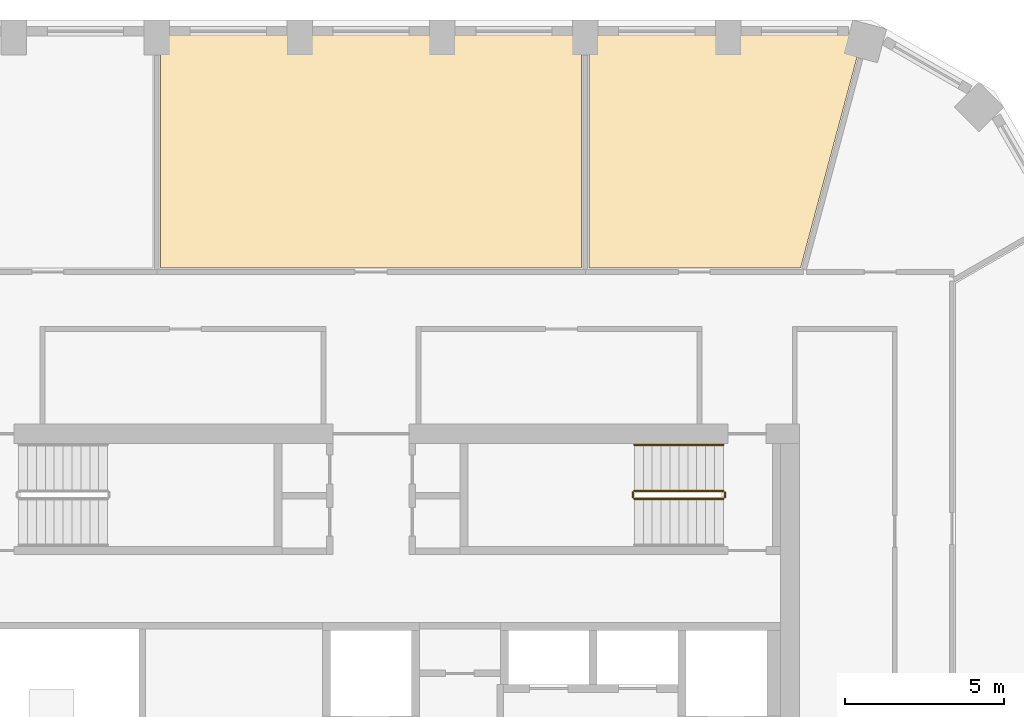
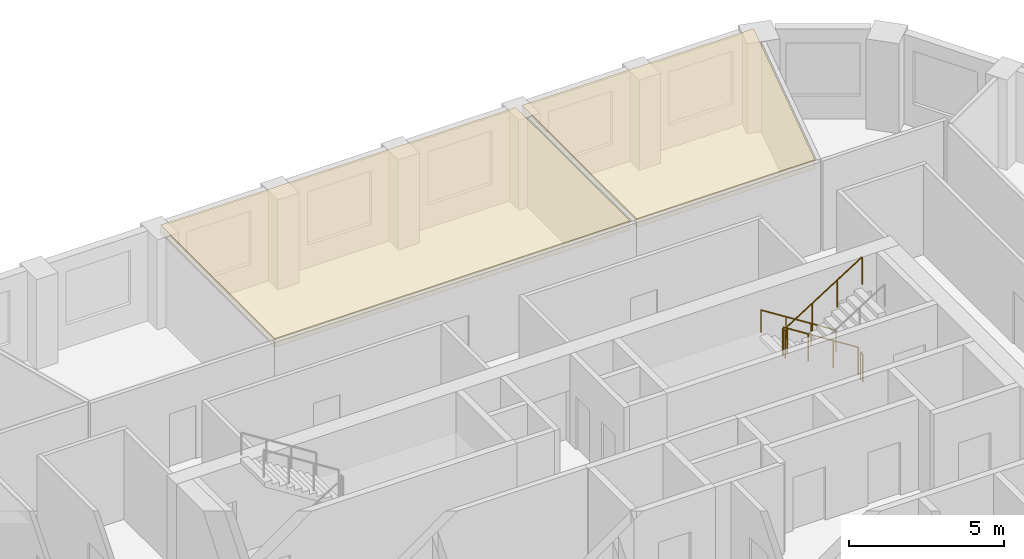
# One storey, part 12 of 13: 5 railings, 2 coverings.
"""IFC4 building model written with IfcOpenShell, lengths in metres."""

from ifc_helpers import new_model, si_unit, direction, frame, origin, origin_2d, place, context, subcontext, project, spatial, polyline, circle, outline, extrude, material, layer, layer_set, type_object, element, save


model = new_model("IFC4")

# Units and contexts
model_context = context("Model", 3, precision=1e-05, world=origin(), true_north=direction((0.0, 1.0)))
body_context = subcontext(model_context, "Body", "Model", "MODEL_VIEW")
ifc_project = project(units=[si_unit("LENGTHUNIT", "METRE"), si_unit("AREAUNIT", "SQUARE_METRE"), si_unit("VOLUMEUNIT", "CUBIC_METRE"), si_unit("PLANEANGLEUNIT", "RADIAN"), si_unit("MASSUNIT", "GRAM", prefix="KILO")], contexts=[model_context])

# Site, building, storey
site_placement = place(None, origin())
site = spatial("IfcSite", under=ifc_project, at=site_placement, CompositionType="ELEMENT")
building_placement = place(site_placement, origin())
building = spatial("IfcBuilding", under=site, at=building_placement, Name="Dhurran Vertical Campus", CompositionType="ELEMENT")
storey_placement = place(building_placement, frame((0.0, 0.0, 191.699951171875)))
storey = spatial("IfcBuildingStorey", under=building, at=storey_placement, Name="L47", CompositionType="ELEMENT", Elevation=191.699951171875)

# Railings
ifc_material_1 = material(Name="Stainless steel balustrade", Category="steel")
railing_type_1 = type_object("IfcRailingType", Name="co-RL-GUARD-1100", PredefinedType="GUARDRAIL", material=ifc_material_1)
railing_1_placement = place(storey_placement, frame((11.10009765625, 9.14990234375, 0.17724609375)))
element("IfcRailing", 1, at=railing_1_placement, inside=storey, type_object=railing_type_1, Name="L47 ST2 stair guard 1", PredefinedType="GUARDRAIL", context=body_context, shape_type="SweptSolid", body=[
    extrude(circle(Radius=0.02392578125, at=origin_2d()), frame((0.0, 0.0, 1.076171875), z_axis=(-0.844908973607, 0.0, 0.534910110503), x_axis=(0.0, -1.0, 0.0)), (0.0, 0.0, 1.0), 3.31396484375),
    extrude(circle(Radius=0.02099609375, at=origin_2d()), origin(), (0.0, 0.0, 1.0), 1.052001953125),
    extrude(circle(Radius=0.02099609375, at=origin_2d()), frame((-0.933349609375, 0.0, 0.5908203125)), (0.0, 0.0, 1.0), 1.052001953125),
    extrude(circle(Radius=0.02099609375, at=origin_2d()), frame((-1.86669921875, 0.0, 1.181884765625)), (0.0, 0.0, 1.0), 1.052001953125),
    extrude(circle(Radius=0.02099609375, at=origin_2d()), frame((-2.800048828125, 0.0, 1.772705078125)), (0.0, 0.0, 1.0), 1.052001953125),
])
railing_2_placement = place(storey_placement, frame((8.25, 9.10009765625, 1.949951171875)))
element("IfcRailing", 2, at=railing_2_placement, inside=storey, type_object=railing_type_1, Name="L47 ST2 stair guard 2", PredefinedType="GUARDRAIL", context=body_context, shape_type="SweptSolid", body=[
    extrude(circle(Radius=0.02392578125, at=origin_2d()), frame((0.0, 0.0, 1.076171875), z_axis=(0.0, -1.0, 0.0), x_axis=(1.0, 0.0, 0.0)), (0.0, 0.0, 1.0), 0.150146484375),
    extrude(circle(Radius=0.02099609375, at=origin_2d()), origin(), (0.0, 0.0, 1.0), 1.052001953125),
    extrude(circle(Radius=0.02099609375, at=origin_2d()), frame((0.0, -0.150146484375, 0.0)), (0.0, 0.0, 1.0), 1.052001953125),
])
railing_3_placement = place(storey_placement, frame((8.300048828125, 8.89990234375, 2.12744140625)))
element("IfcRailing", 3, at=railing_3_placement, inside=storey, type_object=railing_type_1, Name="L47 ST2 stair guard 3", PredefinedType="GUARDRAIL", context=body_context, shape_type="SweptSolid", body=[
    extrude(circle(Radius=0.02392578125, at=origin_2d()), frame((0.0, 0.0, 1.076171875), z_axis=(0.844908973607, 0.0, 0.534910110503), x_axis=(0.0, 1.0, 0.0)), (0.0, 0.0, 1.0), 3.31396484375),
    extrude(circle(Radius=0.02099609375, at=origin_2d()), origin(), (0.0, 0.0, 1.0), 1.052001953125),
    extrude(circle(Radius=0.02099609375, at=origin_2d()), frame((0.933349609375, 0.0, 0.5908203125)), (0.0, 0.0, 1.0), 1.052001953125),
    extrude(circle(Radius=0.02099609375, at=origin_2d()), frame((1.86669921875, 0.0, 1.181884765625)), (0.0, 0.0, 1.0), 1.052001953125),
    extrude(circle(Radius=0.02099609375, at=origin_2d()), frame((2.800048828125, 0.0, 1.772705078125)), (0.0, 0.0, 1.0), 1.052001953125),
])
railing_4_placement = place(storey_placement, frame((11.14990234375, 9.10009765625, 0.0)))
element("IfcRailing", 4, at=railing_4_placement, inside=storey, type_object=railing_type_1, Name="L47 ST2 stair guard 4", PredefinedType="GUARDRAIL", context=body_context, shape_type="SweptSolid", body=[
    extrude(circle(Radius=0.02392578125, at=origin_2d()), frame((0.0, 0.0, 1.076171875), z_axis=(0.0, -1.0, 0.0), x_axis=(1.0, 0.0, 0.0)), (0.0, 0.0, 1.0), 0.150146484375),
    extrude(circle(Radius=0.02099609375, at=origin_2d()), origin(), (0.0, 0.0, 1.0), 1.052001953125),
    extrude(circle(Radius=0.02099609375, at=origin_2d()), frame((0.0, -0.150146484375, 0.0)), (0.0, 0.0, 1.0), 1.052001953125),
])
ifc_material_2 = material(Name="Stainless steel handrail", Category="steel")
railing_type_2 = type_object("IfcRailingType", Name="co-RL-HANDRAIL-900", PredefinedType="HANDRAIL", material=ifc_material_2)
railing_5_placement = place(storey_placement, frame((11.10009765625, 10.60009765625, 0.17724609375)))
element("IfcRailing", 5, at=railing_5_placement, inside=storey, type_object=railing_type_2, Name="L47 ST2 stair handrail 1", PredefinedType="HANDRAIL", context=body_context, shape_type="SweptSolid", body=[
    extrude(circle(Radius=0.02392578125, at=origin_2d()), frame((0.0, 0.0, 0.8759765625), z_axis=(-0.844908973607, 0.0, 0.534910110503), x_axis=(0.0, -1.0, 0.0)), (0.0, 0.0, 1.0), 3.31396484375),
    extrude(circle(Radius=0.02099609375, at=origin_2d()), origin(), (0.0, 0.0, 1.0), 0.851806640625),
    extrude(circle(Radius=0.02099609375, at=origin_2d()), frame((-0.933349609375, 0.0, 0.5908203125)), (0.0, 0.0, 1.0), 0.851806640625),
    extrude(circle(Radius=0.02099609375, at=origin_2d()), frame((-1.86669921875, 0.0, 1.181884765625)), (0.0, 0.0, 1.0), 0.851806640625),
    extrude(circle(Radius=0.02099609375, at=origin_2d()), frame((-2.800048828125, 0.0, 1.772705078125)), (0.0, 0.0, 1.0), 0.851806640625),
])

# Coverings
ifc_material_3 = material(Name="Mineral fibre ceiling tiles on suspended grid")
ifc_layer = layer(ifc_material_3, 0.35009765625)
ifc_layer_set = layer_set([ifc_layer], Name="Mineral fibre ceiling tiles on suspended grid")
covering_type = type_object("IfcCoveringType", Name="fl-CE-350 suspended ceiling", PredefinedType="CEILING", material=ifc_layer_set)
covering_1_placement = place(storey_placement, frame((0.0, 0.0, 3.199951171875)))
element("IfcCovering", 6, at=covering_1_placement, inside=storey, type_object=covering_type, Name="Ceiling 47-21", PredefinedType="CEILING", context=body_context, shape_type="SweptSolid", body=[
    extrude(outline(polyline([(-6.6298828125, 23.56591796875), (6.6298828125, 23.56591796875), (6.6298828125, 16.169921875), (-6.6298828125, 16.169921875), (-6.6298828125, 23.56591796875)])), origin(), (0.0, 0.0, 1.0), 0.35009765625),
])
covering_2_placement = place(storey_placement, frame((0.0, 0.0, 3.199951171875)))
element("IfcCovering", 7, at=covering_2_placement, inside=storey, type_object=covering_type, Name="Ceiling 47-25", PredefinedType="CEILING", context=body_context, shape_type="SweptSolid", body=[
    extrude(outline(polyline([(6.8701171875, 23.56591796875), (15.513916015625, 23.56591796875), (13.531982421875, 16.169921875), (6.8701171875, 16.169921875), (6.8701171875, 23.56591796875)])), origin(), (0.0, 0.0, 1.0), 0.35009765625),
])

save(model, "model.ifc")
